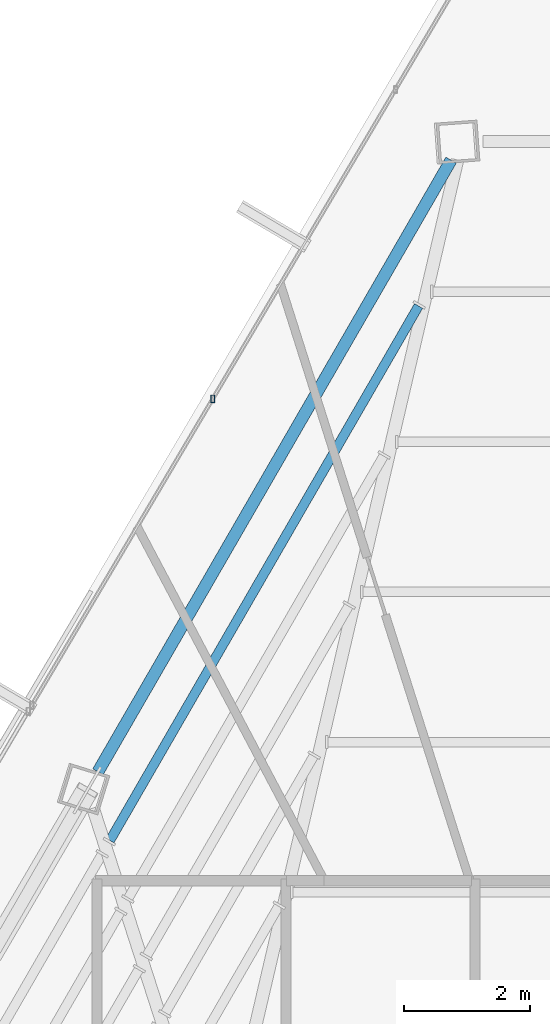
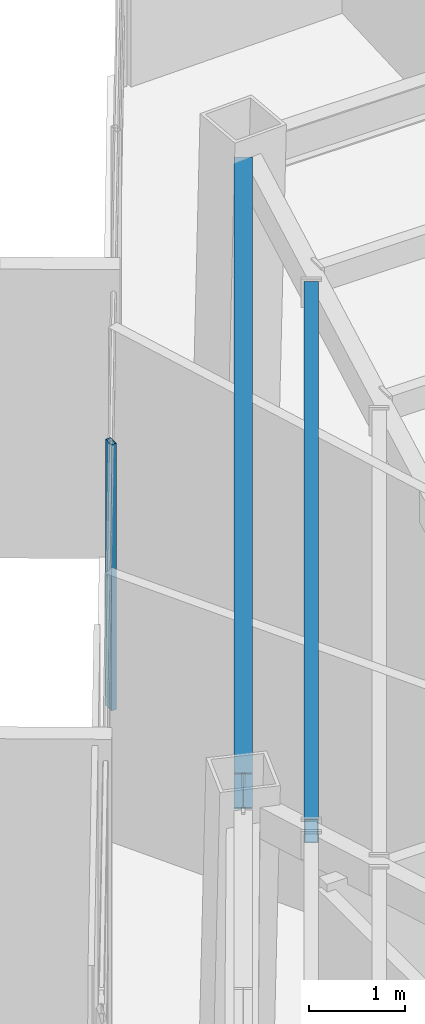
# One storey, part 31 of 45: 2 beams, 1 member, 1 element without a shape of its own.
"""IFC4 building model written with IfcOpenShell, lengths in metres."""

from ifc_helpers import new_model, si_unit, direction, frame, origin, origin_2d, place, context, subcontext, project, spatial, hollow_rectangle, i_section, extrude, source, transform, mapped, material, material_profile, profile_set, type_object, type_shapes, element, aggregate, save


model = new_model("IFC4")

# Units and contexts
model_context = context("Model", 3, precision=1e-05, world=origin(), true_north=direction((0.0, 1.0)))
body_context = subcontext(model_context, "Body", "Model", "MODEL_VIEW")
ifc_project = project(units=[si_unit("LENGTHUNIT", "METRE"), si_unit("AREAUNIT", "SQUARE_METRE"), si_unit("VOLUMEUNIT", "CUBIC_METRE"), si_unit("PLANEANGLEUNIT", "RADIAN"), si_unit("MASSUNIT", "GRAM", prefix="KILO")], contexts=[model_context])

# Site, building, storey
site_placement = place(None, origin())
site = spatial("IfcSite", under=ifc_project, at=site_placement, CompositionType="ELEMENT")
building_placement = place(site_placement, origin())
building = spatial("IfcBuilding", under=site, at=building_placement, Name="Caelisora Broadcast Tower", CompositionType="ELEMENT")
storey_placement = place(building_placement, frame((0.0, 0.0, 262.699951171875)))
storey = spatial("IfcBuildingStorey", under=building, at=storey_placement, Name="L69", CompositionType="ELEMENT", Elevation=262.699951171875)

# Beams
ifc_material_1 = material(Name="Steel Grade 350 (AS/NZS 3679.1)", Category="steel")
ifc_material_profile_1 = material_profile(ifc_material_1, i_section(OverallWidth=0.19091796875, OverallDepth=0.46044921875, WebThickness=0.010009765625, FlangeThickness=0.01611328125, at=origin_2d()), Name="Steel Grade 350 (AS/NZS 3679.1)")
ifc_profile_set_1 = profile_set([ifc_material_profile_1], Name="Steel Grade 350 (AS/NZS 3679.1)")
beam_type_1 = type_object("IfcBeamType", Name="PG06", PredefinedType="BEAM", material=ifc_profile_set_1)
shared_shape_1 = source(origin(), body_context, "Body", "SweptSolid", [
    extrude(i_section(OverallWidth=0.19091796875, OverallDepth=0.46044921875, WebThickness=0.010009765625, FlangeThickness=0.01611328125, at=origin_2d()), origin(), (0.0, 0.0, 1.0), 11.22265625),
])
type_shapes(beam_type_1, [shared_shape_1])
beam_1_placement = place(storey_placement, frame((34.22265625, 46.3994140625, 3.169921875), z_axis=(-0.500004293243, -0.866022925065, 0.0), x_axis=(0.866022925065, -0.500004293243, 0.0)))
element("IfcBeam", 1, at=beam_1_placement, inside=storey, type_object=beam_type_1, Name="L69 beam PG06", PredefinedType="BEAM", context=body_context, shape_type="MappedRepresentation", body=[
    mapped(shared_shape_1, transform((0.0, 0.0, 0.0), scale=1.0)),
])
ifc_material_2 = material(Name="Steel Grade 350 (AS/NZS 1163 C350L0)", Category="steel")
ifc_material_profile_2 = material_profile(ifc_material_2, hollow_rectangle(XDim=0.14990234375, YDim=0.300048828125, WallThickness=0.010009765625, at=origin_2d()), Name="Steel Grade 350 (AS/NZS 1163 C350L0)")
ifc_profile_set_2 = profile_set([ifc_material_profile_2], Name="Steel Grade 350 (AS/NZS 1163 C350L0)")
beam_type_2 = type_object("IfcBeamType", Name="SB05", PredefinedType="JOIST", material=ifc_profile_set_2)
shared_shape_2 = source(origin(), body_context, "Body", "SweptSolid", [
    extrude(hollow_rectangle(XDim=0.14990234375, YDim=0.300048828125, WallThickness=0.010009765625, at=origin_2d()), origin(), (0.0, 0.0, 1.0), 9.806640625),
])
type_shapes(beam_type_2, [shared_shape_2])
beam_2_placement = place(storey_placement, frame((33.70556640625, 44.082275390625, 3.25), z_axis=(-0.499994700786, -0.866028463266, 0.0), x_axis=(0.866028463266, -0.499994700786, 0.0)))
element("IfcBeam", 2, at=beam_2_placement, inside=storey, type_object=beam_type_2, Name="L69 beam SB05", PredefinedType="JOIST", context=body_context, shape_type="MappedRepresentation", body=[
    mapped(shared_shape_2, transform((0.0, 0.0, 0.0), scale=1.0)),
])

# Curtain wall, member
ifc_material_3 = material(Name="Unitised Aluminium and Low-E Glass Curtain Wall", Category="glass")
curtain_wall_type = type_object("IfcCurtainWallType", Name="CW-Z5", PredefinedType="NOTDEFINED", material=ifc_material_3)
curtain_wall_placement = place(storey_placement, origin())
curtain_wall = element("IfcCurtainWall", 3, at=curtain_wall_placement, inside=storey, type_object=curtain_wall_type, Name="L69 curtain wall CW-Z5", PredefinedType="NOTDEFINED")
ifc_material_4 = material(Name="Aluminium 6063-T6 Anodised Terracotta Bronze", Category="aluminium")
ifc_material_profile_3 = material_profile(ifc_material_4, hollow_rectangle(XDim=0.06005859375, YDim=0.1201171875, WallThickness=0.0029296875, at=origin_2d()), Name="Aluminium 6063-T6 Anodised Terracotta Bronze")
ifc_profile_set_3 = profile_set([ifc_material_profile_3], Name="Aluminium 6063-T6 Anodised Terracotta Bronze")
member_type = type_object("IfcMemberType", Name="CWM-04", PredefinedType="MULLION", material=ifc_profile_set_3)
shared_shape_3 = source(origin(), body_context, "Body", "SweptSolid", [
    extrude(hollow_rectangle(XDim=0.06005859375, YDim=0.1201171875, WallThickness=0.0029296875, at=origin_2d()), origin(), (0.0, 0.0, 1.0), 3.400146484375),
])
type_shapes(member_type, [shared_shape_3])
member_placement = place(storey_placement, frame((30.436279296875, 42.607666015625, 0.0), z_axis=(0.0, 0.0, 1.0), x_axis=(1.0, 0.0, 0.0)))
member = element("IfcMember", 4, at=member_placement, type_object=member_type, Name="L69-CW-B11 mullion #1", PredefinedType="MULLION", context=body_context, shape_type="MappedRepresentation", body=[
    mapped(shared_shape_3, transform((0.0, 0.0, 0.0), scale=1.0)),
])
aggregate(curtain_wall, [member])

save(model, "model.ifc")
